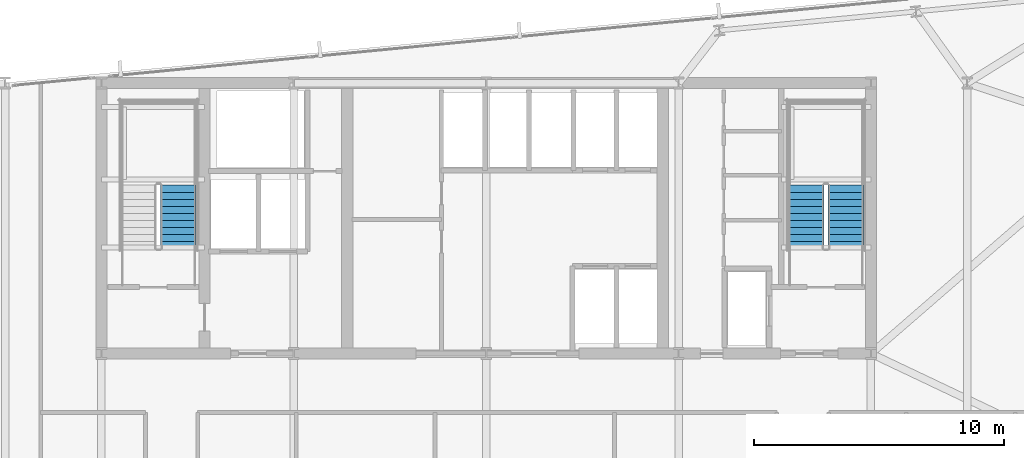
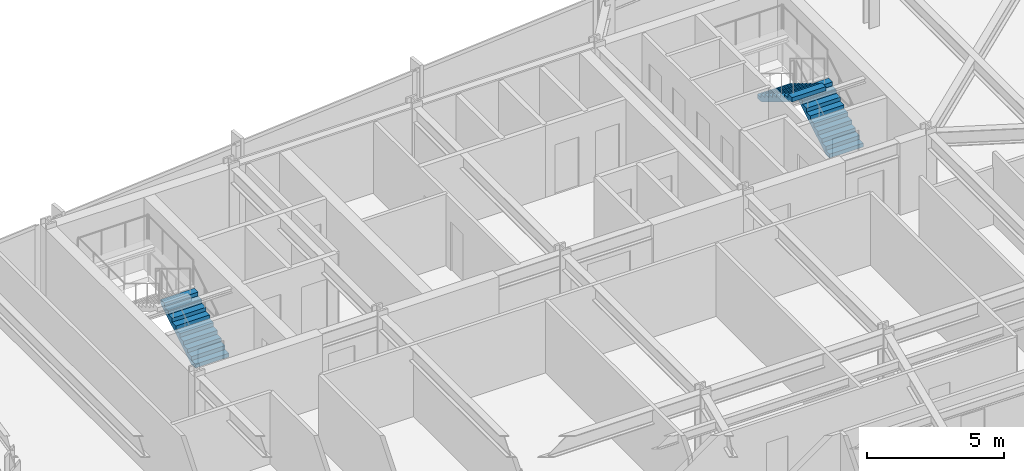
# One storey, part 27 of 33: 3 stair flights, 2 elements without a shape of their own.
"""IFC4 building model written with IfcOpenShell, lengths in metres."""

from ifc_helpers import new_model, si_unit, direction, frame, origin, place, context, subcontext, project, spatial, polyline, outline, extrude, material, type_object, element, aggregate, save


model = new_model("IFC4")

# Units and contexts
model_context = context("Model", 3, precision=1e-05, world=origin(), true_north=direction((0.0, 1.0)))
body_context = subcontext(model_context, "Body", "Model", "MODEL_VIEW")
ifc_project = project(units=[si_unit("LENGTHUNIT", "METRE"), si_unit("AREAUNIT", "SQUARE_METRE"), si_unit("VOLUMEUNIT", "CUBIC_METRE"), si_unit("PLANEANGLEUNIT", "RADIAN"), si_unit("MASSUNIT", "GRAM", prefix="KILO")], contexts=[model_context])

# Site, building, storey
site_placement = place(None, origin())
site = spatial("IfcSite", under=ifc_project, at=site_placement, CompositionType="ELEMENT")
building_placement = place(site_placement, origin())
building = spatial("IfcBuilding", under=site, at=building_placement, Name="Yelkora Congress Tower", CompositionType="ELEMENT")
storey_placement = place(building_placement, frame((0.0, 0.0, 127.10009765625)))
storey = spatial("IfcBuildingStorey", under=building, at=storey_placement, Name="L34", CompositionType="ELEMENT", Elevation=127.10009765625)

# Stair, stair flight
ifc_material = material(Name="Concrete C40/50", Category="concrete")
stair_type = type_object("IfcStairType", Name="STAIR-HT-1420-R20-170", PredefinedType="HALF_TURN_STAIR", material=ifc_material)
stair_1_placement = place(storey_placement, origin())
stair_1 = element("IfcStair", 1, at=stair_1_placement, inside=storey, type_object=stair_type, Name="West Core Protected Exit Stair ST-01 (L34)", PredefinedType="HALF_TURN_STAIR")
stair_flight_type = type_object("IfcStairFlightType", Name="FLIGHT-1420-N10-R170-G280", PredefinedType="STRAIGHT", material=ifc_material)
stair_flight_1_placement = place(storey_placement, frame((26.110107421875, 39.60009765625, 0.0), z_axis=(0.0, 0.0, 1.0), x_axis=(0.0, 1.0, 0.0)))
stair_flight_1 = element("IfcStairFlight", 2, at=stair_flight_1_placement, type_object=stair_flight_type, Name="ST-01 L34 Flight 1", NumberOfRisers=10, NumberOfTreads=9, PredefinedType="STRAIGHT", RiserHeight=0.17, TreadLength=0.28, context=body_context, shape_type="SweptSolid", body=[
    extrude(outline(polyline([(0.0, 0.0), (0.0, 0.169921875), (0.280029296875, 0.169921875), (0.280029296875, 0.340087890625), (0.56005859375, 0.340087890625), (0.56005859375, 0.510009765625), (0.840087890625, 0.510009765625), (0.840087890625, 0.679931640625), (1.1201171875, 0.679931640625), (1.1201171875, 0.85009765625), (1.39990234375, 0.85009765625), (1.39990234375, 1.02001953125), (1.679931640625, 1.02001953125), (1.679931640625, 1.18994140625), (1.9599609375, 1.18994140625), (1.9599609375, 1.360107421875), (2.239990234375, 1.360107421875), (2.239990234375, 1.530029296875), (2.52001953125, 1.530029296875), (2.52001953125, 1.699951171875), (2.52001953125, 1.343017578125), (0.30810546875, 0.0), (0.0, 0.0)])), frame((0.0, 0.7099609375, 0.0), z_axis=(0.0, -1.0, 0.0), x_axis=(1.0, 0.0, 0.0)), (0.0, 0.0, 1.0), 1.419921875),
])
aggregate(stair_1, [stair_flight_1])

# Stair, stair flights
stair_2_placement = place(storey_placement, origin())
stair_2 = element("IfcStair", 3, at=stair_2_placement, inside=storey, type_object=stair_type, Name="East Core Protected Exit Stair ST-02 (L34)", PredefinedType="HALF_TURN_STAIR")
stair_flight_2_placement = place(storey_placement, frame((52.75, 39.60009765625, 0.0), z_axis=(0.0, 0.0, 1.0), x_axis=(0.0, 1.0, 0.0)))
stair_flight_2 = element("IfcStairFlight", 4, at=stair_flight_2_placement, type_object=stair_flight_type, Name="ST-02 L34 Flight 1", NumberOfRisers=10, NumberOfTreads=9, PredefinedType="STRAIGHT", RiserHeight=0.17, TreadLength=0.28, context=body_context, shape_type="SweptSolid", body=[
    extrude(outline(polyline([(0.0, 0.0), (0.0, 0.169921875), (0.280029296875, 0.169921875), (0.280029296875, 0.340087890625), (0.56005859375, 0.340087890625), (0.56005859375, 0.510009765625), (0.840087890625, 0.510009765625), (0.840087890625, 0.679931640625), (1.1201171875, 0.679931640625), (1.1201171875, 0.85009765625), (1.39990234375, 0.85009765625), (1.39990234375, 1.02001953125), (1.679931640625, 1.02001953125), (1.679931640625, 1.18994140625), (1.9599609375, 1.18994140625), (1.9599609375, 1.360107421875), (2.239990234375, 1.360107421875), (2.239990234375, 1.530029296875), (2.52001953125, 1.530029296875), (2.52001953125, 1.699951171875), (2.52001953125, 1.343017578125), (0.30810546875, 0.0), (0.0, 0.0)])), frame((0.0, 0.7099609375, 0.0), z_axis=(0.0, -1.0, 0.0), x_axis=(1.0, 0.0, 0.0)), (0.0, 0.0, 1.0), 1.419921875),
])
stair_flight_3_placement = place(storey_placement, frame((51.169921875, 42.1201171875, 1.699951171875), z_axis=(0.0, 0.0, 1.0), x_axis=(0.0, -1.0, 0.0)))
stair_flight_3 = element("IfcStairFlight", 5, at=stair_flight_3_placement, type_object=stair_flight_type, Name="ST-02 L34 Flight 2", NumberOfRisers=10, NumberOfTreads=9, PredefinedType="STRAIGHT", RiserHeight=0.17, TreadLength=0.28, context=body_context, shape_type="SweptSolid", body=[
    extrude(outline(polyline([(0.0, 0.0), (0.0, 0.169921875), (0.280029296875, 0.169921875), (0.280029296875, 0.340087890625), (0.56005859375, 0.340087890625), (0.56005859375, 0.510009765625), (0.840087890625, 0.510009765625), (0.840087890625, 0.679931640625), (1.1201171875, 0.679931640625), (1.1201171875, 0.85009765625), (1.39990234375, 0.85009765625), (1.39990234375, 1.02001953125), (1.679931640625, 1.02001953125), (1.679931640625, 1.18994140625), (1.9599609375, 1.18994140625), (1.9599609375, 1.360107421875), (2.239990234375, 1.360107421875), (2.239990234375, 1.530029296875), (2.52001953125, 1.530029296875), (2.52001953125, 1.699951171875), (2.52001953125, 1.343017578125), (0.30810546875, 0.0), (0.0, 0.0)])), frame((0.0, 0.7099609375, 0.0), z_axis=(0.0, -1.0, 0.0), x_axis=(1.0, 0.0, 0.0)), (0.0, 0.0, 1.0), 1.419921875),
])
aggregate(stair_2, [stair_flight_2, stair_flight_3])

save(model, "model.ifc")
